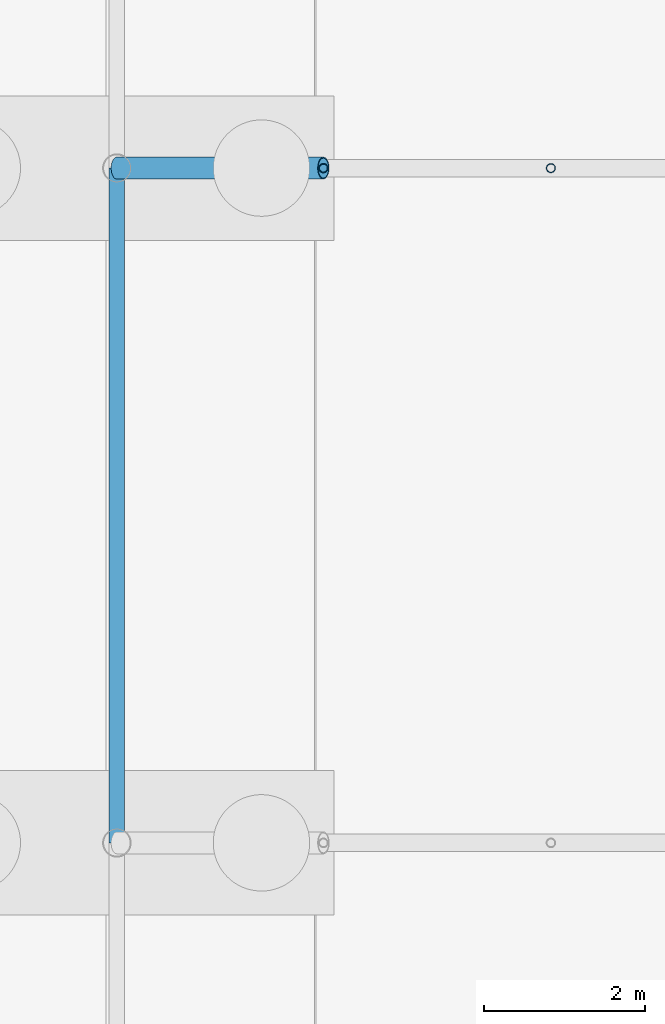
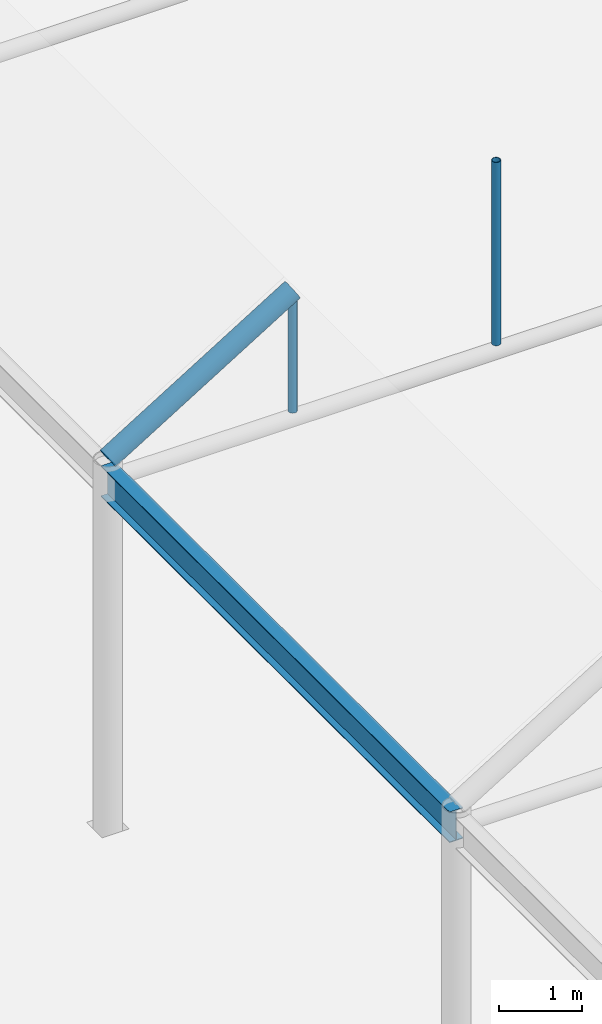
# One storey, part 104 of 212: 3 members, 1 beam.
"""IFC4 building model written with IfcOpenShell, lengths in metres."""

from ifc_helpers import new_model, si_unit, direction, frame, origin, origin_2d, place, context, subcontext, project, spatial, hollow_circle, i_section, extrude, material, material_profile, profile_set, type_object, element, save


model = new_model("IFC4")

# Units and contexts
model_context = context("Model", 3, precision=1e-05, world=origin(), true_north=direction((0.0, 1.0)))
body_context = subcontext(model_context, "Body", "Model", "MODEL_VIEW")
ifc_project = project(units=[si_unit("LENGTHUNIT", "METRE"), si_unit("AREAUNIT", "SQUARE_METRE"), si_unit("VOLUMEUNIT", "CUBIC_METRE"), si_unit("PLANEANGLEUNIT", "RADIAN"), si_unit("MASSUNIT", "GRAM", prefix="KILO")], contexts=[model_context])

# Site, building, storey
site_placement = place(None, origin())
site = spatial("IfcSite", under=ifc_project, at=site_placement, CompositionType="ELEMENT")
building_placement = place(site_placement, origin())
building = spatial("IfcBuilding", under=site, at=building_placement, Name="Catenary Quay Ferry Terminal", CompositionType="ELEMENT")
storey_placement = place(building_placement, origin())
storey = spatial("IfcBuildingStorey", under=building, at=storey_placement, Name="L00", CompositionType="ELEMENT", Elevation=0.0)

# Beam
ifc_material_1 = material(Name="Steel S355", Category="steel")
ifc_material_profile_1 = material_profile(ifc_material_1, i_section(OverallWidth=0.18994140625, OverallDepth=0.453369140625, WebThickness=0.008544921875, FlangeThickness=0.0126953125, at=origin_2d()), Name="UB 457x191x67")
ifc_profile_set_1 = profile_set([ifc_material_profile_1], Name="Steel S355")
beam_type = type_object("IfcBeamType", Name="B1 UB 457x191x67", PredefinedType="BEAM", material=ifc_profile_set_1)
beam_placement = place(storey_placement, frame((8.39990234375, 117.60009765625, 5.10009765625), z_axis=(0.0, 1.0, 0.0), x_axis=(-1.0, 0.0, 0.0)))
element("IfcBeam", 1, at=beam_placement, inside=storey, type_object=beam_type, Name="Eaves beam B-FB7", PredefinedType="BEAM", context=body_context, shape_type="SweptSolid", body=[
    extrude(i_section(OverallWidth=0.18994140625, OverallDepth=0.453369140625, WebThickness=0.008544921875, FlangeThickness=0.0126953125, at=origin_2d()), origin(), (0.0, 0.0, 1.0), 8.39990234375),
])

# Members
ifc_material_2 = material(Name="Steel S355", Category="steel")
ifc_material_profile_2 = material_profile(ifc_material_2, hollow_circle(Radius=0.05712890625, WallThickness=0.00634765625, at=origin_2d()), Name="CHS 114.3x6.3")
ifc_profile_set_2 = profile_set([ifc_material_profile_2], Name="Steel S355")
member_type_1 = type_object("IfcMemberType", Name="HG1 CHS 114.3x6.3", PredefinedType="POST", material=ifc_profile_set_2)
member_1_placement = place(storey_placement, frame((10.970947265625, 126.0, 5.205078125), z_axis=(0.0, 0.0, 1.0), x_axis=(1.0, 0.0, 0.0)))
element("IfcMember", 2, at=member_1_placement, inside=storey, type_object=member_type_1, Name="Hanger FC-08-01", PredefinedType="POST", context=body_context, shape_type="SweptSolid", body=[
    extrude(hollow_circle(Radius=0.05712890625, WallThickness=0.00634765625, at=origin_2d()), origin(), (0.0, 0.0, 1.0), 1.64892578125),
])
member_2_placement = place(storey_placement, frame((13.802978515625, 126.0, 5.205078125), z_axis=(0.0, 0.0, 1.0), x_axis=(1.0, 0.0, 0.0)))
element("IfcMember", 3, at=member_2_placement, inside=storey, type_object=member_type_1, Name="Hanger FC-08-02", PredefinedType="POST", context=body_context, shape_type="SweptSolid", body=[
    extrude(hollow_circle(Radius=0.05712890625, WallThickness=0.00634765625, at=origin_2d()), origin(), (0.0, 0.0, 1.0), 2.69580078125),
])
ifc_material_3 = material(Name="Steel S355", Category="steel")
ifc_material_profile_3 = material_profile(ifc_material_3, hollow_circle(Radius=0.136474609375, WallThickness=0.012451171875, at=origin_2d()), Name="CHS 273x12.5")
ifc_profile_set_3 = profile_set([ifc_material_profile_3], Name="Steel S355")
member_type_2 = type_object("IfcMemberType", Name="VR2 CHS 273x12.5", PredefinedType="RAFTER", material=ifc_profile_set_3)
member_3_placement = place(storey_placement, frame((8.39990234375, 126.0, 5.39990234375), z_axis=(0.851391726314, 0.0, 0.524530388408), x_axis=(0.0, 1.0, 0.0)))
element("IfcMember", 4, at=member_3_placement, inside=storey, type_object=member_type_2, Name="rib FC-08-01", PredefinedType="RAFTER", context=body_context, shape_type="SweptSolid", body=[
    extrude(hollow_circle(Radius=0.136474609375, WallThickness=0.012451171875, at=origin_2d()), origin(), (0.0, 0.0, 1.0), 3.019775390625),
])

save(model, "model.ifc")
